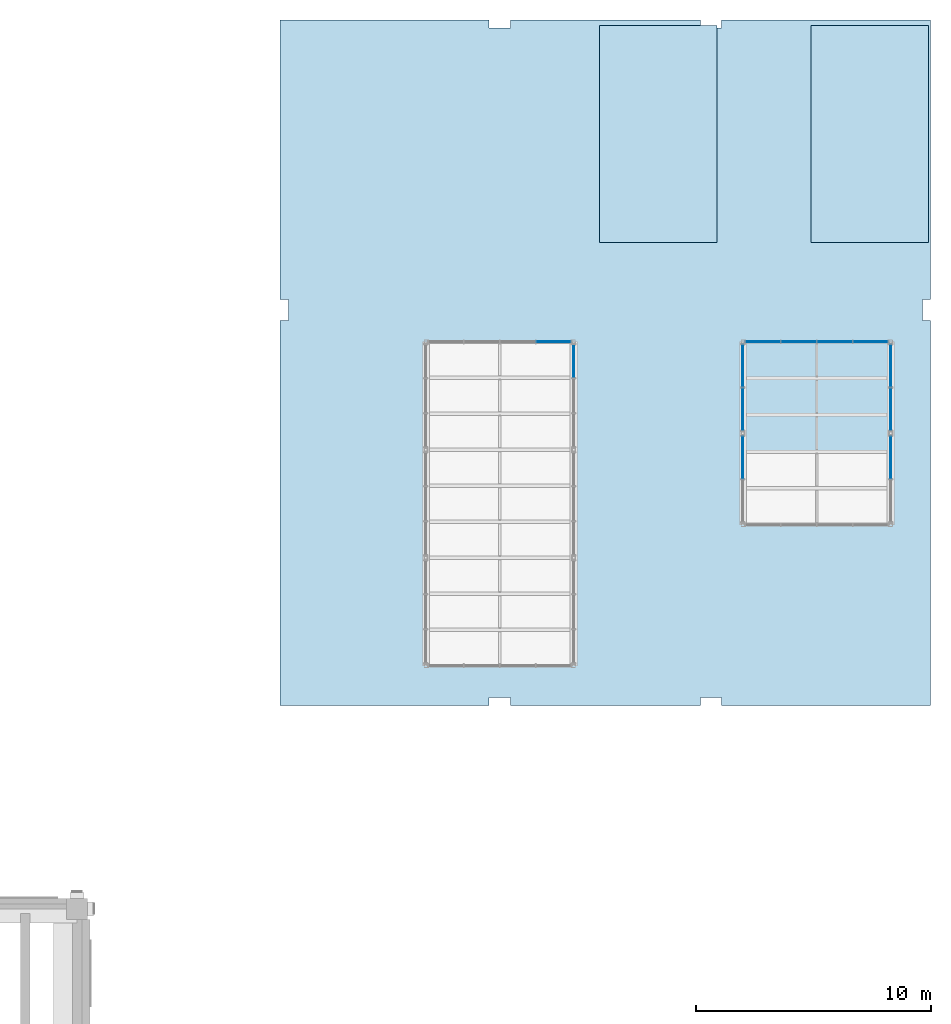
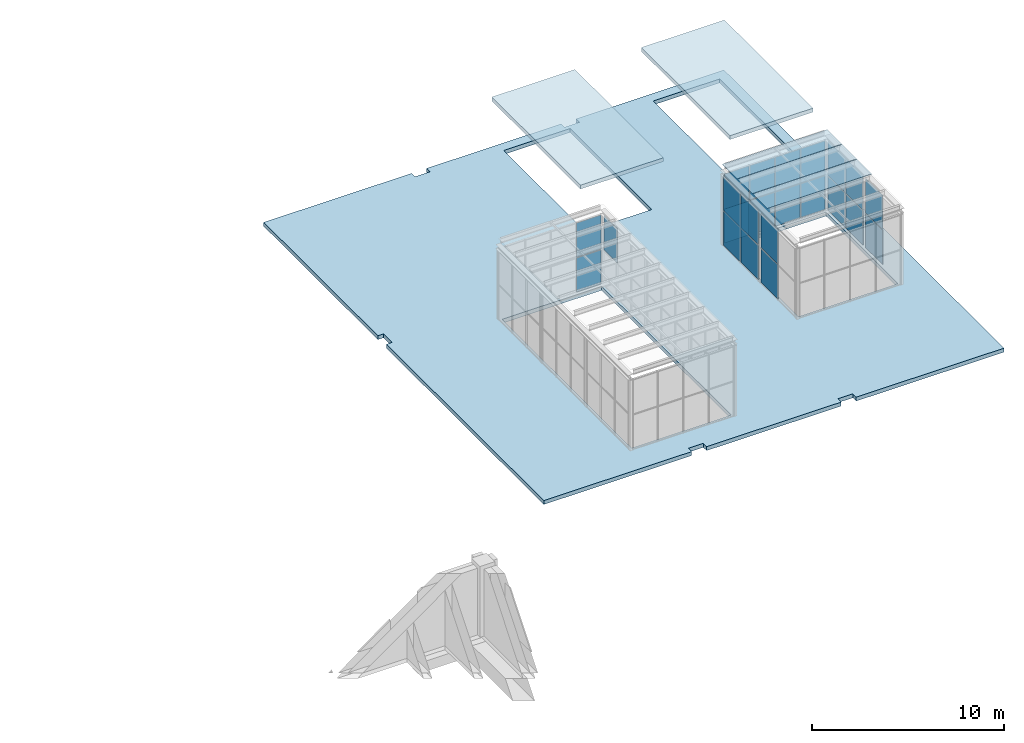
# One storey, part 15 of 25: 26 plates, 3 slabs, 7 elements without a shape of their own.
"""IFC4 building model written with IfcOpenShell, lengths in metres."""

import ifcopenshell
import ifcopenshell.guid

model = None  # the IFC model being written
_history = None  # IfcOwnerHistory: only IFC2X3 demands one
_inside = {}  # id of a spatial element -> (the spatial element, [elements in it])
_under = {}  # id of a project, library or spatial element -> (it, [spatial elements below it])
_declared = {}  # id of a project -> (the project, [libraries it declares])
_typed = {}  # id of a type object -> (the type object, [elements of that type])
_made_of = {}  # id of a material, layer set ... -> (it, [elements and type objects made of it])


def new_model(schema):
    """Start an empty IFC model of exactly this schema.

    Asked for "IFC4X3", IfcOpenShell would pick the latest addendum, in which some entities
    have other attributes; the version numbers below select the first issue.
    IFC2X3 requires an IfcOwnerHistory on every rooted entity: one is made here for all.
    """
    global model, _history
    if schema == "IFC4X3":
        model = ifcopenshell.file(schema_version=(4, 3, 0, 0))
    else:
        model = ifcopenshell.file(schema=schema)
    _inside.clear()
    _under.clear()
    _declared.clear()
    _typed.clear()
    _made_of.clear()
    _history = None
    if model.schema == "IFC2X3":
        org = make("IfcOrganization", Name="unknown")
        user = make(
            "IfcPersonAndOrganization",
            ThePerson=make("IfcPerson", FamilyName="unknown"),
            TheOrganization=org,
        )
        app = make(
            "IfcApplication",
            ApplicationDeveloper=org,
            Version="unknown",
            ApplicationFullName="unknown",
            ApplicationIdentifier="unknown",
        )
        _history = make(
            "IfcOwnerHistory",
            OwningUser=user,
            OwningApplication=app,
            ChangeAction="ADDED",
            CreationDate=0,
        )
    return model


def make(cls, **values):
    """One entity of the class cls with the attributes given. An attribute that is None is left unset."""
    return model.create_entity(
        cls, **{name: value for name, value in values.items() if value is not None}
    )


def rooted(cls, **values):
    """An entity with a GlobalId (a new one), such as an element, a storey or a relation."""
    return make(cls, GlobalId=ifcopenshell.guid.new(), OwnerHistory=_history, **values)


def si_unit(unit_type, name, prefix=None):
    """IfcSIUnit, for example si_unit("LENGTHUNIT", "METRE", prefix="MILLI")."""
    return make("IfcSIUnit", UnitType=unit_type, Prefix=prefix, Name=name)


def assignment(units):
    """IfcUnitAssignment: the units of a project."""
    return None if units is None else make("IfcUnitAssignment", Units=units)


def point(xyz):
    """IfcCartesianPoint."""
    return None if xyz is None else make("IfcCartesianPoint", Coordinates=xyz)


def direction(xyz):
    """IfcDirection."""
    return None if xyz is None else make("IfcDirection", DirectionRatios=xyz)


def frame(location, z_axis=None, x_axis=None):
    """IfcAxis2Placement3D, a coordinate frame: its origin and axes. An axis left out is left unset."""
    return make(
        "IfcAxis2Placement3D",
        Location=point(location),
        Axis=direction(z_axis),
        RefDirection=direction(x_axis),
    )


def frame_2d(location, x_axis=None):
    """IfcAxis2Placement2D, a coordinate frame in the plane: its origin and x axis."""
    return make(
        "IfcAxis2Placement2D", Location=point(location), RefDirection=direction(x_axis)
    )


def origin():
    """The frame at (0, 0, 0) with its axes left unset."""
    return frame((0.0, 0.0, 0.0))


def origin_2d():
    """The frame at (0, 0) in the plane with its x axis left unset."""
    return frame_2d((0.0, 0.0))


def place(relative_to, where):
    """IfcLocalPlacement: puts the frame where relative to a parent placement (None: the world)."""
    return make(
        "IfcLocalPlacement", PlacementRelTo=relative_to, RelativePlacement=where
    )


def context(
    kind, dimensions, precision=None, world=None, true_north=None, identifier=None
):
    """IfcGeometricRepresentationContext, for example the 3D "Model" context."""
    return make(
        "IfcGeometricRepresentationContext",
        ContextIdentifier=identifier,
        ContextType=kind,
        CoordinateSpaceDimension=dimensions,
        Precision=precision,
        WorldCoordinateSystem=world,
        TrueNorth=true_north,
    )


def subcontext(parent, identifier, kind, view, scale=None):
    """IfcGeometricRepresentationSubContext, for example "Body" below "Model"."""
    return make(
        "IfcGeometricRepresentationSubContext",
        ContextIdentifier=identifier,
        ContextType=kind,
        ParentContext=parent,
        TargetScale=scale,
        TargetView=view,
    )


def project(units=None, contexts=None):
    """IfcProject with its units and contexts."""
    return rooted(
        "IfcProject",
        Name="project",
        RepresentationContexts=contexts,
        UnitsInContext=assignment(units),
    )


def spatial(cls, under=None, at=None, **own):
    """A site, building, storey or space (cls), placed at a placement, below another one or the project."""
    s = rooted(cls, ObjectPlacement=at, **own)
    if under is not None:
        _under.setdefault(under.id(), (under, []))[1].append(s)
    return s


def polyline(points):
    """IfcPolyline through the points."""
    return make("IfcPolyline", Points=[point(p) for p in points])


def profile(cls, at=None, kind="AREA", **sizes):
    """A parametric profile (cls). Its sizes go by their IFC names, for example OverallWidth=200.0."""
    return make(cls, ProfileType=kind, Position=at, **sizes)


def rectangle(**sizes):
    """IfcRectangleProfileDef."""
    return profile("IfcRectangleProfileDef", **sizes)


def outline(outer, holes=None, kind="AREA"):
    """IfcArbitraryClosedProfileDef: a profile drawn as a closed curve; with holes, ...WithVoids."""
    if holes is None:
        return make("IfcArbitraryClosedProfileDef", ProfileType=kind, OuterCurve=outer)
    return make(
        "IfcArbitraryProfileDefWithVoids",
        ProfileType=kind,
        OuterCurve=outer,
        InnerCurves=holes,
    )


def extrude(swept, where, along, depth):
    """IfcExtrudedAreaSolid: the profile swept, set in the frame where, extruded along a direction by depth."""
    return make(
        "IfcExtrudedAreaSolid",
        SweptArea=swept,
        Position=where,
        ExtrudedDirection=direction(along),
        Depth=depth,
    )


def shape(context_of_items, identifier, shape_type, items):
    """IfcShapeRepresentation: the items that make up one representation, for example the "Body"."""
    return make(
        "IfcShapeRepresentation",
        ContextOfItems=context_of_items,
        RepresentationIdentifier=identifier,
        RepresentationType=shape_type,
        Items=items,
    )


def material(Name=None, Category=None):
    """IfcMaterial."""
    return make("IfcMaterial", Name=Name, Category=Category)


def layer(
    of_material, thickness, ventilated=None, Name=None, Category=None, Priority=None
):
    """IfcMaterialLayer: one layer of a wall or slab, of a material (None: an air gap)."""
    return make(
        "IfcMaterialLayer",
        Material=of_material,
        LayerThickness=thickness,
        IsVentilated=ventilated,
        Name=Name,
        Category=Category,
        Priority=Priority,
    )


def layer_set(layers, Name=None):
    """IfcMaterialLayerSet."""
    return make("IfcMaterialLayerSet", MaterialLayers=layers, LayerSetName=Name)


def made_of(thing, what):
    """Note that an element or type object is made of a material, layer set ...; save() writes the relation."""
    if what is not None:
        _made_of.setdefault(what.id(), (what, []))[1].append(thing)
    return thing


def type_object(cls, material=None, **own):
    """A type object (cls), such as IfcWallType, which elements share."""
    return made_of(rooted(cls, **own), material)


def element(
    cls,
    number,
    at=None,
    inside=None,
    cuts=None,
    type_object=None,
    material=None,
    context=None,
    identifier="Body",
    shape_type=None,
    held_by="IfcProductDefinitionShape",
    body=None,
    shapes=None,
    **own,
):
    """One element of the class cls, such as IfcWall. Its Tag is "e" and its number.

    at: its placement. inside: the storey or other place that contains it. cuts: it is an
    opening in that element (IfcRelVoidsElement). A single representation is given by context,
    identifier, shape_type and body (its items); several are given by shapes. held_by: the class
    of the entity that holds the representations. save() writes the other relations.
    """
    e = rooted(cls, Tag="e%d" % number, ObjectPlacement=at, **own)
    if body is not None:
        shapes = [shape(context, identifier, shape_type, body)]
    if shapes is not None:
        e.Representation = make(held_by, Representations=shapes)
    if inside is not None:
        _inside.setdefault(inside.id(), (inside, []))[1].append(e)
    if cuts is not None:
        rooted(
            "IfcRelVoidsElement", RelatingBuildingElement=cuts, RelatedOpeningElement=e
        )
    if type_object is not None:
        _typed.setdefault(type_object.id(), (type_object, []))[1].append(e)
    return made_of(e, material)


def aggregate(whole, parts):
    """IfcRelAggregates: a whole, such as a stair, and the parts it consists of."""
    return rooted("IfcRelAggregates", RelatingObject=whole, RelatedObjects=parts)


def save(model, path):
    """Write the relations noted so far, then the file.

    IfcRelAggregates (storeys below a building ...), IfcRelContainedInSpatialStructure (elements
    in a storey), IfcRelDefinesByType, IfcRelAssociatesMaterial and IfcRelDeclares: one each for
    every whole, place, type object, material and project.
    """
    for whole, parts in _under.values():
        aggregate(whole, parts)
    for where, things in _inside.values():
        rooted(
            "IfcRelContainedInSpatialStructure",
            RelatedElements=things,
            RelatingStructure=where,
        )
    for kind, things in _typed.values():
        rooted("IfcRelDefinesByType", RelatedObjects=things, RelatingType=kind)
    for what, things in _made_of.values():
        rooted("IfcRelAssociatesMaterial", RelatedObjects=things, RelatingMaterial=what)
    for by, libraries in _declared.values():
        rooted("IfcRelDeclares", RelatingContext=by, RelatedDefinitions=libraries)
    model.write(path)


model = new_model("IFC4")

# Units and contexts
model_context = context("Model", 3, precision=1e-05, world=origin(), true_north=direction((0.0, 1.0)))
body_context = subcontext(model_context, "Body", "Model", "MODEL_VIEW")
ifc_project = project(units=[si_unit("LENGTHUNIT", "METRE"), si_unit("AREAUNIT", "SQUARE_METRE"), si_unit("VOLUMEUNIT", "CUBIC_METRE"), si_unit("PLANEANGLEUNIT", "RADIAN"), si_unit("MASSUNIT", "GRAM", prefix="KILO")], contexts=[model_context])

# Site, building, storey
site_placement = place(None, origin())
site = spatial("IfcSite", under=ifc_project, at=site_placement, CompositionType="ELEMENT")
building_placement = place(site_placement, origin())
building = spatial("IfcBuilding", under=site, at=building_placement, Name="Aurelan Courthouse", CompositionType="ELEMENT")
storey_placement = place(building_placement, frame((0.0, 0.0, 44.39990234375)))
storey = spatial("IfcBuildingStorey", under=building, at=storey_placement, Name="L08", CompositionType="ELEMENT", Elevation=44.39990234375)

# Slabs
ifc_material_1 = material(Name="Concrete C40", Category="concrete")
ifc_layer_1 = layer(ifc_material_1, 0.25)
ifc_layer_set_1 = layer_set([ifc_layer_1], Name="Concrete C40")
slab_type_1 = type_object("IfcSlabType", Name="Head house roof slab 250", PredefinedType="ROOF", material=ifc_layer_set_1)
slab_1_placement = place(storey_placement, frame((0.0, 0.0, 3.10009765625)))
element("IfcSlab", 1, at=slab_1_placement, inside=storey, type_object=slab_type_1, Name="Head house roof HH-ST-2A", PredefinedType="ROOF", context=body_context, shape_type="SweptSolid", body=[
    extrude(outline(polyline([(49.25, 56.875), (54.25, 56.875), (54.25, 66.125), (49.25, 66.125), (49.25, 56.875)])), origin(), (0.0, 0.0, 1.0), 0.25),
])
slab_2_placement = place(storey_placement, frame((0.0, 0.0, 3.10009765625)))
element("IfcSlab", 2, at=slab_2_placement, inside=storey, type_object=slab_type_1, Name="Head house roof HH-ST-2E", PredefinedType="ROOF", context=body_context, shape_type="SweptSolid", body=[
    extrude(outline(polyline([(58.25, 56.875), (63.25, 56.875), (63.25, 66.125), (58.25, 66.125), (58.25, 56.875)])), origin(), (0.0, 0.0, 1.0), 0.25),
])

# Curtain wall, plate
ifc_material_2 = material(Name="Bronze-finished aluminium and glass", Category="aluminium")
ifc_layer_2 = layer(ifc_material_2, 0.14990234375)
ifc_layer_set_2 = layer_set([ifc_layer_2], Name="Bronze-finished aluminium and glass")
curtain_wall_type_1 = type_object("IfcCurtainWallType", Name="Lantern wall 4450 x 4500", PredefinedType="NOTDEFINED", material=ifc_layer_set_2)
curtain_wall_1_placement = place(storey_placement, origin())
curtain_wall_1 = element("IfcCurtainWall", 3, at=curtain_wall_1_placement, inside=storey, type_object=curtain_wall_type_1, Name="Curtain wall CW-L08-V2107", PredefinedType="NOTDEFINED")
ifc_material_3 = material(Name="Laminated low-emissivity glass", Category="glass")
ifc_layer_3 = layer(ifc_material_3, 0.028076171875)
ifc_layer_set_3 = layer_set([ifc_layer_3], Name="Laminated low-emissivity glass")
plate_type_1 = type_object("IfcPlateType", Name="Lantern glass panel 28", PredefinedType="CURTAIN_PANEL", material=ifc_layer_set_3)
plate_1_placement = place(storey_placement, frame((48.14990234375, 51.82080078125, 2.27490234375), z_axis=(0.0, 0.0, 1.0), x_axis=(0.0, 1.0, 0.0)))
plate_1 = element("IfcPlate", 4, at=plate_1_placement, type_object=plate_type_1, Name="CW-L08-V2107 panel 3.2", PredefinedType="CURTAIN_PANEL", context=body_context, shape_type="SweptSolid", body=[
    extrude(rectangle(XDim=1.408447265625, YDim=0.028076171875, at=origin_2d()), origin(), (0.0, 0.0, 1.0), 2.175048828125),
])
aggregate(curtain_wall_1, [plate_1])

# Curtain wall, plates
ifc_layer_4 = layer(ifc_material_2, 0.14990234375)
ifc_layer_set_4 = layer_set([ifc_layer_4], Name="Bronze-finished aluminium and glass")
curtain_wall_type_2 = type_object("IfcCurtainWallType", Name="Lantern wall 6150 x 4500", PredefinedType="NOTDEFINED", material=ifc_layer_set_4)
curtain_wall_2_placement = place(storey_placement, origin())
curtain_wall_2 = element("IfcCurtainWall", 5, at=curtain_wall_2_placement, inside=storey, type_object=curtain_wall_type_2, Name="Curtain wall CW-L08-V2108", PredefinedType="NOTDEFINED")
plate_2_placement = place(storey_placement, frame((47.293701171875, 52.64990234375, 0.05029296875), z_axis=(0.0, 0.0, 1.0), x_axis=(1.0, 0.0, 0.0)))
plate_2 = element("IfcPlate", 6, at=plate_2_placement, type_object=plate_type_1, Name="CW-L08-V2108 panel 4.1", PredefinedType="CURTAIN_PANEL", context=body_context, shape_type="SweptSolid", body=[
    extrude(rectangle(XDim=1.46240234375, YDim=0.028076171875, at=origin_2d()), origin(), (0.0, 0.0, 1.0), 2.175048828125),
])
plate_3_placement = place(storey_placement, frame((47.293701171875, 52.64990234375, 2.27490234375), z_axis=(0.0, 0.0, 1.0), x_axis=(1.0, 0.0, 0.0)))
plate_3 = element("IfcPlate", 7, at=plate_3_placement, type_object=plate_type_1, Name="CW-L08-V2108 panel 4.2", PredefinedType="CURTAIN_PANEL", context=body_context, shape_type="SweptSolid", body=[
    extrude(rectangle(XDim=1.46240234375, YDim=0.028076171875, at=origin_2d()), origin(), (0.0, 0.0, 1.0), 2.175048828125),
])
aggregate(curtain_wall_2, [plate_2, plate_3])

ifc_layer_5 = layer(ifc_material_2, 0.14990234375)
ifc_layer_set_5 = layer_set([ifc_layer_5], Name="Bronze-finished aluminium and glass")
curtain_wall_type_3 = type_object("IfcCurtainWallType", Name="Lantern wall 3750 x 4500", PredefinedType="NOTDEFINED", material=ifc_layer_set_5)
curtain_wall_3_placement = place(storey_placement, origin())
curtain_wall_3 = element("IfcCurtainWall", 8, at=curtain_wall_3_placement, inside=storey, type_object=curtain_wall_type_3, Name="Curtain wall CW-L08-V2202", PredefinedType="NOTDEFINED")
plate_4_placement = place(storey_placement, frame((55.35009765625, 47.72509765625, 0.05029296875), z_axis=(0.0, 0.0, 1.0), x_axis=(0.0, 1.0, 0.0)))
plate_4 = element("IfcPlate", 9, at=plate_4_placement, type_object=plate_type_1, Name="CW-L08-V2202 panel 2.1", PredefinedType="CURTAIN_PANEL", context=body_context, shape_type="SweptSolid", body=[
    extrude(rectangle(XDim=1.800048828125, YDim=0.028076171875, at=origin_2d()), origin(), (0.0, 0.0, 1.0), 2.175048828125),
])
plate_5_placement = place(storey_placement, frame((55.35009765625, 47.72509765625, 2.27490234375), z_axis=(0.0, 0.0, 1.0), x_axis=(0.0, 1.0, 0.0)))
plate_5 = element("IfcPlate", 10, at=plate_5_placement, type_object=plate_type_1, Name="CW-L08-V2202 panel 2.2", PredefinedType="CURTAIN_PANEL", context=body_context, shape_type="SweptSolid", body=[
    extrude(rectangle(XDim=1.800048828125, YDim=0.028076171875, at=origin_2d()), origin(), (0.0, 0.0, 1.0), 2.175048828125),
])
aggregate(curtain_wall_3, [plate_4, plate_5])

curtain_wall_4_placement = place(storey_placement, origin())
curtain_wall_4 = element("IfcCurtainWall", 11, at=curtain_wall_4_placement, inside=storey, type_object=curtain_wall_type_3, Name="Curtain wall CW-L08-V2203", PredefinedType="NOTDEFINED")
plate_6_placement = place(storey_placement, frame((61.64990234375, 47.72509765625, 0.05029296875), z_axis=(0.0, 0.0, 1.0), x_axis=(0.0, 1.0, 0.0)))
plate_6 = element("IfcPlate", 12, at=plate_6_placement, type_object=plate_type_1, Name="CW-L08-V2203 panel 2.1", PredefinedType="CURTAIN_PANEL", context=body_context, shape_type="SweptSolid", body=[
    extrude(rectangle(XDim=1.800048828125, YDim=0.028076171875, at=origin_2d()), origin(), (0.0, 0.0, 1.0), 2.175048828125),
])
plate_7_placement = place(storey_placement, frame((61.64990234375, 47.72509765625, 2.27490234375), z_axis=(0.0, 0.0, 1.0), x_axis=(0.0, 1.0, 0.0)))
plate_7 = element("IfcPlate", 13, at=plate_7_placement, type_object=plate_type_1, Name="CW-L08-V2203 panel 2.2", PredefinedType="CURTAIN_PANEL", context=body_context, shape_type="SweptSolid", body=[
    extrude(rectangle(XDim=1.800048828125, YDim=0.028076171875, at=origin_2d()), origin(), (0.0, 0.0, 1.0), 2.175048828125),
])
aggregate(curtain_wall_4, [plate_6, plate_7])

curtain_wall_5_placement = place(storey_placement, origin())
curtain_wall_5 = element("IfcCurtainWall", 14, at=curtain_wall_5_placement, inside=storey, type_object=curtain_wall_type_3, Name="Curtain wall CW-L08-V2204", PredefinedType="NOTDEFINED")
plate_8_placement = place(storey_placement, frame((55.35009765625, 49.77490234375, 0.05029296875), z_axis=(0.0, 0.0, 1.0), x_axis=(0.0, 1.0, 0.0)))
plate_8 = element("IfcPlate", 15, at=plate_8_placement, type_object=plate_type_1, Name="CW-L08-V2204 panel 1.1", PredefinedType="CURTAIN_PANEL", context=body_context, shape_type="SweptSolid", body=[
    extrude(rectangle(XDim=1.800048828125, YDim=0.028076171875, at=origin_2d()), origin(), (0.0, 0.0, 1.0), 2.175048828125),
])
plate_9_placement = place(storey_placement, frame((55.35009765625, 49.77490234375, 2.27490234375), z_axis=(0.0, 0.0, 1.0), x_axis=(0.0, 1.0, 0.0)))
plate_9 = element("IfcPlate", 16, at=plate_9_placement, type_object=plate_type_1, Name="CW-L08-V2204 panel 1.2", PredefinedType="CURTAIN_PANEL", context=body_context, shape_type="SweptSolid", body=[
    extrude(rectangle(XDim=1.800048828125, YDim=0.028076171875, at=origin_2d()), origin(), (0.0, 0.0, 1.0), 2.175048828125),
])
plate_10_placement = place(storey_placement, frame((55.35009765625, 51.625, 0.05029296875), z_axis=(0.0, 0.0, 1.0), x_axis=(0.0, 1.0, 0.0)))
plate_10 = element("IfcPlate", 17, at=plate_10_placement, type_object=plate_type_1, Name="CW-L08-V2204 panel 2.1", PredefinedType="CURTAIN_PANEL", context=body_context, shape_type="SweptSolid", body=[
    extrude(rectangle(XDim=1.800048828125, YDim=0.028076171875, at=origin_2d()), origin(), (0.0, 0.0, 1.0), 2.175048828125),
])
plate_11_placement = place(storey_placement, frame((55.35009765625, 51.625, 2.27490234375), z_axis=(0.0, 0.0, 1.0), x_axis=(0.0, 1.0, 0.0)))
plate_11 = element("IfcPlate", 18, at=plate_11_placement, type_object=plate_type_1, Name="CW-L08-V2204 panel 2.2", PredefinedType="CURTAIN_PANEL", context=body_context, shape_type="SweptSolid", body=[
    extrude(rectangle(XDim=1.800048828125, YDim=0.028076171875, at=origin_2d()), origin(), (0.0, 0.0, 1.0), 2.175048828125),
])
aggregate(curtain_wall_5, [plate_8, plate_9, plate_10, plate_11])

curtain_wall_6_placement = place(storey_placement, origin())
curtain_wall_6 = element("IfcCurtainWall", 19, at=curtain_wall_6_placement, inside=storey, type_object=curtain_wall_type_3, Name="Curtain wall CW-L08-V2205", PredefinedType="NOTDEFINED")
plate_12_placement = place(storey_placement, frame((61.64990234375, 49.77490234375, 0.05029296875), z_axis=(0.0, 0.0, 1.0), x_axis=(0.0, 1.0, 0.0)))
plate_12 = element("IfcPlate", 20, at=plate_12_placement, type_object=plate_type_1, Name="CW-L08-V2205 panel 1.1", PredefinedType="CURTAIN_PANEL", context=body_context, shape_type="SweptSolid", body=[
    extrude(rectangle(XDim=1.800048828125, YDim=0.028076171875, at=origin_2d()), origin(), (0.0, 0.0, 1.0), 2.175048828125),
])
plate_13_placement = place(storey_placement, frame((61.64990234375, 49.77490234375, 2.27490234375), z_axis=(0.0, 0.0, 1.0), x_axis=(0.0, 1.0, 0.0)))
plate_13 = element("IfcPlate", 21, at=plate_13_placement, type_object=plate_type_1, Name="CW-L08-V2205 panel 1.2", PredefinedType="CURTAIN_PANEL", context=body_context, shape_type="SweptSolid", body=[
    extrude(rectangle(XDim=1.800048828125, YDim=0.028076171875, at=origin_2d()), origin(), (0.0, 0.0, 1.0), 2.175048828125),
])
plate_14_placement = place(storey_placement, frame((61.64990234375, 51.625, 0.05029296875), z_axis=(0.0, 0.0, 1.0), x_axis=(0.0, 1.0, 0.0)))
plate_14 = element("IfcPlate", 22, at=plate_14_placement, type_object=plate_type_1, Name="CW-L08-V2205 panel 2.1", PredefinedType="CURTAIN_PANEL", context=body_context, shape_type="SweptSolid", body=[
    extrude(rectangle(XDim=1.800048828125, YDim=0.028076171875, at=origin_2d()), origin(), (0.0, 0.0, 1.0), 2.175048828125),
])
plate_15_placement = place(storey_placement, frame((61.64990234375, 51.625, 2.27490234375), z_axis=(0.0, 0.0, 1.0), x_axis=(0.0, 1.0, 0.0)))
plate_15 = element("IfcPlate", 23, at=plate_15_placement, type_object=plate_type_1, Name="CW-L08-V2205 panel 2.2", PredefinedType="CURTAIN_PANEL", context=body_context, shape_type="SweptSolid", body=[
    extrude(rectangle(XDim=1.800048828125, YDim=0.028076171875, at=origin_2d()), origin(), (0.0, 0.0, 1.0), 2.175048828125),
])
aggregate(curtain_wall_6, [plate_12, plate_13, plate_14, plate_15])

curtain_wall_7_placement = place(storey_placement, origin())
curtain_wall_7 = element("IfcCurtainWall", 24, at=curtain_wall_7_placement, inside=storey, type_object=curtain_wall_type_2, Name="Curtain wall CW-L08-V2206", PredefinedType="NOTDEFINED")
plate_16_placement = place(storey_placement, frame((56.206298828125, 52.64990234375, 0.05029296875), z_axis=(0.0, 0.0, 1.0), x_axis=(1.0, 0.0, 0.0)))
plate_16 = element("IfcPlate", 25, at=plate_16_placement, type_object=plate_type_1, Name="CW-L08-V2206 panel 1.1", PredefinedType="CURTAIN_PANEL", context=body_context, shape_type="SweptSolid", body=[
    extrude(rectangle(XDim=1.46240234375, YDim=0.028076171875, at=origin_2d()), origin(), (0.0, 0.0, 1.0), 2.175048828125),
])
plate_17_placement = place(storey_placement, frame((56.206298828125, 52.64990234375, 2.27490234375), z_axis=(0.0, 0.0, 1.0), x_axis=(1.0, 0.0, 0.0)))
plate_17 = element("IfcPlate", 26, at=plate_17_placement, type_object=plate_type_1, Name="CW-L08-V2206 panel 1.2", PredefinedType="CURTAIN_PANEL", context=body_context, shape_type="SweptSolid", body=[
    extrude(rectangle(XDim=1.46240234375, YDim=0.028076171875, at=origin_2d()), origin(), (0.0, 0.0, 1.0), 2.175048828125),
])
plate_18_placement = place(storey_placement, frame((57.731201171875, 52.64990234375, 0.05029296875), z_axis=(0.0, 0.0, 1.0), x_axis=(1.0, 0.0, 0.0)))
plate_18 = element("IfcPlate", 27, at=plate_18_placement, type_object=plate_type_1, Name="CW-L08-V2206 panel 2.1", PredefinedType="CURTAIN_PANEL", context=body_context, shape_type="SweptSolid", body=[
    extrude(rectangle(XDim=1.487548828125, YDim=0.028076171875, at=origin_2d()), origin(), (0.0, 0.0, 1.0), 2.175048828125),
])
plate_19_placement = place(storey_placement, frame((57.731201171875, 52.64990234375, 2.27490234375), z_axis=(0.0, 0.0, 1.0), x_axis=(1.0, 0.0, 0.0)))
plate_19 = element("IfcPlate", 28, at=plate_19_placement, type_object=plate_type_1, Name="CW-L08-V2206 panel 2.2", PredefinedType="CURTAIN_PANEL", context=body_context, shape_type="SweptSolid", body=[
    extrude(rectangle(XDim=1.487548828125, YDim=0.028076171875, at=origin_2d()), origin(), (0.0, 0.0, 1.0), 2.175048828125),
])
plate_20_placement = place(storey_placement, frame((59.268798828125, 52.64990234375, 0.05029296875), z_axis=(0.0, 0.0, 1.0), x_axis=(1.0, 0.0, 0.0)))
plate_20 = element("IfcPlate", 29, at=plate_20_placement, type_object=plate_type_1, Name="CW-L08-V2206 panel 3.1", PredefinedType="CURTAIN_PANEL", context=body_context, shape_type="SweptSolid", body=[
    extrude(rectangle(XDim=1.487548828125, YDim=0.028076171875, at=origin_2d()), origin(), (0.0, 0.0, 1.0), 2.175048828125),
])
plate_21_placement = place(storey_placement, frame((59.268798828125, 52.64990234375, 2.27490234375), z_axis=(0.0, 0.0, 1.0), x_axis=(1.0, 0.0, 0.0)))
plate_21 = element("IfcPlate", 30, at=plate_21_placement, type_object=plate_type_1, Name="CW-L08-V2206 panel 3.2", PredefinedType="CURTAIN_PANEL", context=body_context, shape_type="SweptSolid", body=[
    extrude(rectangle(XDim=1.487548828125, YDim=0.028076171875, at=origin_2d()), origin(), (0.0, 0.0, 1.0), 2.175048828125),
])
plate_22_placement = place(storey_placement, frame((60.793701171875, 52.64990234375, 0.05029296875), z_axis=(0.0, 0.0, 1.0), x_axis=(1.0, 0.0, 0.0)))
plate_22 = element("IfcPlate", 31, at=plate_22_placement, type_object=plate_type_1, Name="CW-L08-V2206 panel 4.1", PredefinedType="CURTAIN_PANEL", context=body_context, shape_type="SweptSolid", body=[
    extrude(rectangle(XDim=1.46240234375, YDim=0.028076171875, at=origin_2d()), origin(), (0.0, 0.0, 1.0), 2.175048828125),
])
plate_23_placement = place(storey_placement, frame((60.793701171875, 52.64990234375, 2.27490234375), z_axis=(0.0, 0.0, 1.0), x_axis=(1.0, 0.0, 0.0)))
plate_23 = element("IfcPlate", 32, at=plate_23_placement, type_object=plate_type_1, Name="CW-L08-V2206 panel 4.2", PredefinedType="CURTAIN_PANEL", context=body_context, shape_type="SweptSolid", body=[
    extrude(rectangle(XDim=1.46240234375, YDim=0.028076171875, at=origin_2d()), origin(), (0.0, 0.0, 1.0), 2.175048828125),
])
aggregate(curtain_wall_7, [plate_16, plate_17, plate_18, plate_19, plate_20, plate_21, plate_22, plate_23])

# Plates
ifc_layer_6 = layer(ifc_material_3, 0.030029296875)
ifc_layer_set_6 = layer_set([ifc_layer_6], Name="Laminated low-emissivity glass")
plate_type_2 = type_object("IfcPlateType", Name="Lantern roof glass 30", PredefinedType="SHEET", material=ifc_layer_set_6)
for number, where, z_axis, x_axis, name in (
    (33, (58.5, 48.75, 5.08984375), (0.0, 0.0, 1.0), (1.0, 0.0, 0.0), "Lantern roof glass LG-V22-03"),
    (34, (58.5, 50.31005859375, 5.08984375), (0.0, 0.0, 1.0), (1.0, 0.0, 0.0), "Lantern roof glass LG-V22-04"),
    (35, (58.5, 51.8701171875, 5.08984375), (0.0, 0.0, 1.0), (1.0, 0.0, 0.0), "Lantern roof glass LG-V22-05"),
):
    element("IfcPlate", number, at=place(storey_placement, frame(where, z_axis=z_axis, x_axis=x_axis)), inside=storey, type_object=plate_type_2, Name=name, PredefinedType="SHEET", context=body_context, shape_type="SweptSolid", body=[
        extrude(rectangle(XDim=6.300048828125, YDim=1.5400390625, at=origin_2d()), origin(), (0.0, 0.0, 1.0), 0.030029296875),
    ])

# Slab
ifc_layer_7 = layer(ifc_material_1, 0.25)
ifc_layer_set_7 = layer_set([ifc_layer_7], Name="Concrete C40")
slab_type_2 = type_object("IfcSlabType", Name="Roof slab 250", PredefinedType="ROOF", material=ifc_layer_set_7)
slab_3_placement = place(storey_placement, frame((0.0, 0.0, -0.25)))
element("IfcSlab", 36, at=slab_3_placement, inside=storey, type_object=slab_type_2, Name="Roof slab V2 SL-L07-03", PredefinedType="ROOF", context=body_context, shape_type="SweptSolid", body=[
    extrude(outline(polyline([(35.64990234375, 37.949951171875), (35.64990234375, 37.14990234375), (36.449951171875, 37.14990234375), (44.550048828125, 37.14990234375), (44.550048828125, 37.5), (45.449951171875, 37.5), (45.449951171875, 37.14990234375), (53.550048828125, 37.14990234375), (53.550048828125, 37.5), (54.449951171875, 37.5), (54.449951171875, 37.14990234375), (62.550048828125, 37.14990234375), (63.35009765625, 37.14990234375), (63.35009765625, 37.949951171875), (63.35009765625, 53.550048828125), (63.0, 53.550048828125), (63.0, 54.449951171875), (63.35009765625, 54.449951171875), (63.35009765625, 65.550048828125), (63.35009765625, 66.35009765625), (62.550048828125, 66.35009765625), (54.449951171875, 66.35009765625), (54.449951171875, 66.0), (53.550048828125, 66.0), (53.550048828125, 66.35009765625), (45.449951171875, 66.35009765625), (45.449951171875, 66.0), (44.550048828125, 66.0), (44.550048828125, 66.35009765625), (36.449951171875, 66.35009765625), (35.64990234375, 66.35009765625), (35.64990234375, 65.550048828125), (35.64990234375, 54.449951171875), (36.0, 54.449951171875), (36.0, 53.550048828125), (35.64990234375, 53.550048828125), (35.64990234375, 37.949951171875)]), holes=[polyline([(62.75, 65.75), (62.75, 57.25), (58.75, 57.25), (58.75, 65.75), (62.75, 65.75)]), polyline([(55.5, 45.0), (55.5, 52.5), (61.5, 52.5), (61.5, 45.0), (55.5, 45.0)]), polyline([(49.75, 65.75), (53.75, 65.75), (53.75, 57.25), (49.75, 57.25), (49.75, 65.75)]), polyline([(48.0, 39.0), (42.0, 39.0), (42.0, 52.5), (48.0, 52.5), (48.0, 39.0)])]), origin(), (0.0, 0.0, 1.0), 0.25),
])

save(model, "model.ifc")
